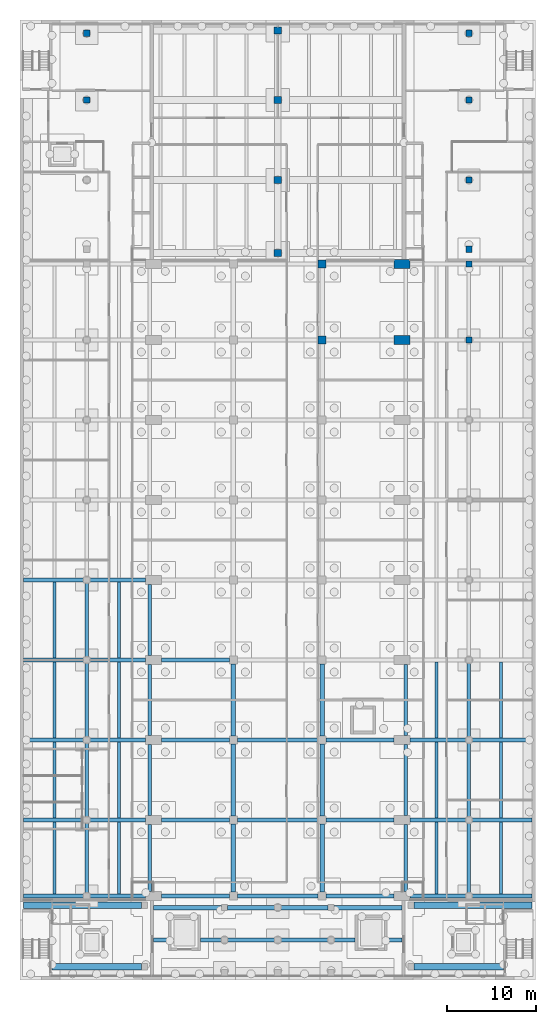
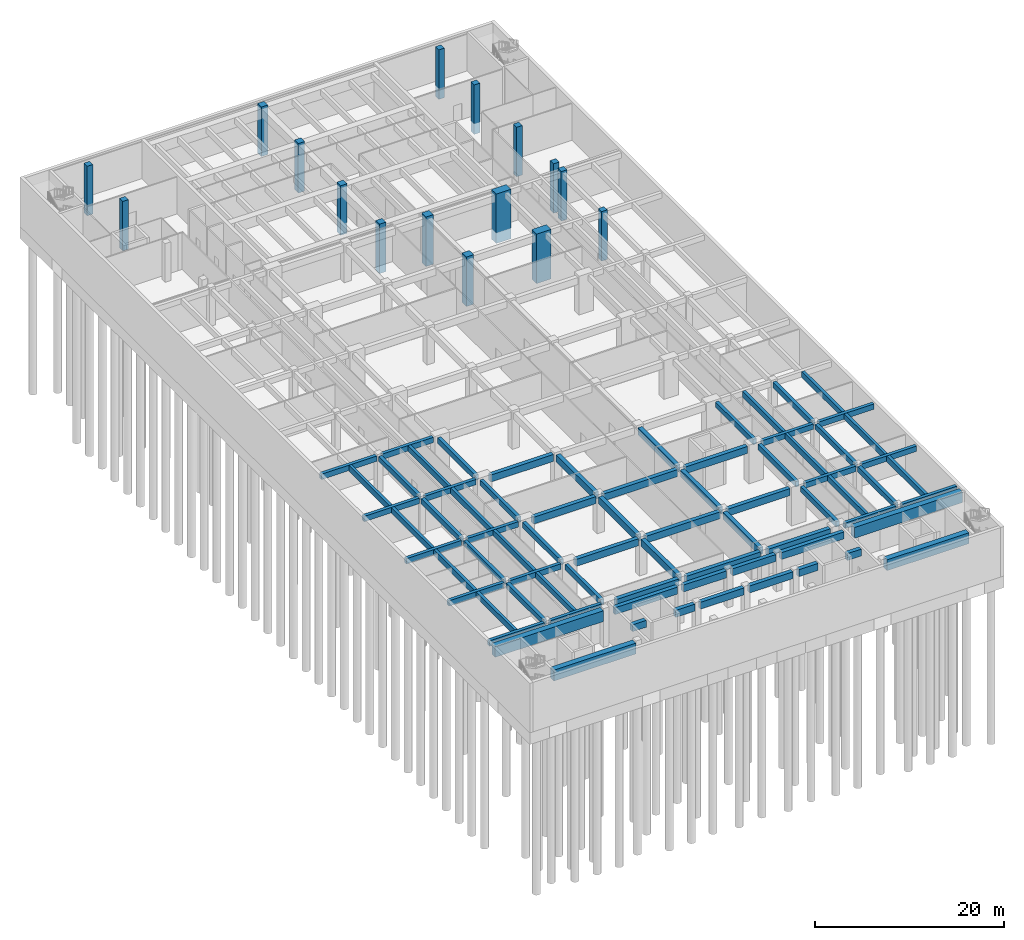
# One storey, part 4 of 19: 74 beams, 16 columns.
"""IFC4 building model written with IfcOpenShell, lengths in metres."""

from ifc_helpers import new_model, si_unit, direction, frame, origin, origin_2d, place, context, subcontext, project, spatial, rectangle, extrude, material, material_profile, profile_set, type_object, element, save


model = new_model("IFC4")

# Units and contexts
model_context = context("Model", 3, precision=1e-05, world=origin(), true_north=direction((0.0, 1.0)))
body_context = subcontext(model_context, "Body", "Model", "MODEL_VIEW")
ifc_project = project(units=[si_unit("LENGTHUNIT", "METRE"), si_unit("AREAUNIT", "SQUARE_METRE"), si_unit("VOLUMEUNIT", "CUBIC_METRE"), si_unit("PLANEANGLEUNIT", "RADIAN"), si_unit("MASSUNIT", "GRAM", prefix="KILO")], contexts=[model_context])

# Site, building, storey
site_placement = place(None, origin())
site = spatial("IfcSite", under=ifc_project, at=site_placement, CompositionType="ELEMENT")
building_placement = place(site_placement, origin())
building = spatial("IfcBuilding", under=site, at=building_placement, Name="Elmora Arch Market Hall", CompositionType="ELEMENT")
storey_placement = place(building_placement, frame((0.0, 0.0, -10.0)))
storey = spatial("IfcBuildingStorey", under=building, at=storey_placement, Name="B1", CompositionType="ELEMENT", Elevation=-10.0)

# Columns
ifc_material_1 = material(Name="Concrete C40/50", Category="concrete")
ifc_material_profile_1 = material_profile(ifc_material_1, rectangle(XDim=0.800048828125, YDim=0.800048828125, at=origin_2d()), Name="Gate column 800x800")
ifc_profile_set_1 = profile_set([ifc_material_profile_1], Name="Concrete C40/50")
column_type_1 = type_object("IfcColumnType", Name="Gate column 800x800", PredefinedType="COLUMN", material=ifc_profile_set_1)
for number, where, z_axis, x_axis, name in (
    (1, (29.0, 99.800048828125, -1.39990234375), (0.0, 0.0, 1.0), (1.0, 0.0, 0.0), "Gate column GT1 B1"),
    (2, (29.0, 108.0, -1.39990234375), (0.0, 0.0, 1.0), (1.0, 0.0, 0.0), "Gate column GT2 B1"),
    (3, (29.0, 117.0, -1.39990234375), (0.0, 0.0, 1.0), (1.0, 0.0, 0.0), "Gate column GT3 B1"),
    (4, (29.0, 124.800048828125, -1.39990234375), (0.0, 0.0, 1.0), (1.0, 0.0, 0.0), "Gate column GT4 B1"),
):
    element("IfcColumn", number, at=place(storey_placement, frame(where, z_axis=z_axis, x_axis=x_axis)), inside=storey, type_object=column_type_1, Name=name, PredefinedType="COLUMN", context=body_context, shape_type="SweptSolid", body=[
        extrude(rectangle(XDim=0.800048828125, YDim=0.800048828125, at=origin_2d()), origin(), (0.0, 0.0, 1.0), 6.39990234375),
    ])
ifc_material_2 = material(Name="Concrete C40/50", Category="concrete")
ifc_material_profile_2 = material_profile(ifc_material_2, rectangle(XDim=0.89990234375, YDim=0.89990234375, at=origin_2d()), Name="Hall frame column 900x900")
ifc_profile_set_2 = profile_set([ifc_material_profile_2], Name="Concrete C40/50")
column_type_2 = type_object("IfcColumnType", Name="Hall frame column 900x900", PredefinedType="COLUMN", material=ifc_profile_set_2)
for number, where, z_axis, x_axis, name in (
    (5, (34.0, 90.0, -1.39990234375), (0.0, 0.0, 1.0), (1.0, 0.0, 0.0), "Hall frame column HF28 B1"),
    (6, (34.0, 98.550048828125, -1.39990234375), (0.0, 0.0, 1.0), (1.0, 0.0, 0.0), "Hall frame column HF29 B1"),
):
    element("IfcColumn", number, at=place(storey_placement, frame(where, z_axis=z_axis, x_axis=x_axis)), inside=storey, type_object=column_type_2, Name=name, PredefinedType="COLUMN", context=body_context, shape_type="SweptSolid", body=[
        extrude(rectangle(XDim=0.89990234375, YDim=0.89990234375, at=origin_2d()), origin(), (0.0, 0.0, 1.0), 6.39990234375),
    ])
ifc_material_3 = material(Name="Concrete C40/50", Category="concrete")
ifc_material_profile_3 = material_profile(ifc_material_3, rectangle(XDim=1.800048828125, YDim=1.0, at=origin_2d()), Name="Hall pier")
ifc_profile_set_3 = profile_set([ifc_material_profile_3], Name="Concrete C40/50")
column_type_3 = type_object("IfcColumnType", Name="Hall pier", PredefinedType="COLUMN", material=ifc_profile_set_3)
for number, where, z_axis, x_axis, name in (
    (7, (43.0, 90.0, -1.39990234375), (0.0, 0.0, 1.0), (1.0, 0.0, 0.0), "Hall pier 08E B1"),
    (8, (43.0, 98.550048828125, -1.39990234375), (0.0, 0.0, 1.0), (1.0, 0.0, 0.0), "Hall pier 09E B1"),
):
    element("IfcColumn", number, at=place(storey_placement, frame(where, z_axis=z_axis, x_axis=x_axis)), inside=storey, type_object=column_type_3, Name=name, PredefinedType="COLUMN", context=body_context, shape_type="SweptSolid", body=[
        extrude(rectangle(XDim=1.800048828125, YDim=1.0, at=origin_2d()), origin(), (0.0, 0.0, 1.0), 6.39990234375),
    ])
ifc_material_4 = material(Name="Concrete C40/50", Category="concrete")
ifc_material_profile_4 = material_profile(ifc_material_4, rectangle(XDim=0.699951171875, YDim=0.699951171875, at=origin_2d()), Name="Pavilion column 700x700")
ifc_profile_set_4 = profile_set([ifc_material_profile_4], Name="Concrete C40/50")
column_type_4 = type_object("IfcColumnType", Name="Pavilion column 700x700", PredefinedType="COLUMN", material=ifc_profile_set_4)
for number, where, z_axis, x_axis, name in (
    (9, (7.5, 117.0, -1.39990234375), (0.0, 0.0, 1.0), (1.0, 0.0, 0.0), "Pavilion column NW3 B1"),
    (10, (7.5, 124.5, -1.39990234375), (0.0, 0.0, 1.0), (1.0, 0.0, 0.0), "Pavilion column NW4 B1"),
    (11, (50.5, 100.199951171875, -1.39990234375), (0.0, 0.0, 1.0), (1.0, 0.0, 0.0), "Pavilion column NE1 B1"),
    (12, (50.5, 108.0, -1.39990234375), (0.0, 0.0, 1.0), (1.0, 0.0, 0.0), "Pavilion column NE2 B1"),
    (13, (50.5, 117.0, -1.39990234375), (0.0, 0.0, 1.0), (1.0, 0.0, 0.0), "Pavilion column NE3 B1"),
    (14, (50.5, 124.5, -1.39990234375), (0.0, 0.0, 1.0), (1.0, 0.0, 0.0), "Pavilion column NE4 B1"),
):
    element("IfcColumn", number, at=place(storey_placement, frame(where, z_axis=z_axis, x_axis=x_axis)), inside=storey, type_object=column_type_4, Name=name, PredefinedType="COLUMN", context=body_context, shape_type="SweptSolid", body=[
        extrude(rectangle(XDim=0.699951171875, YDim=0.699951171875, at=origin_2d()), origin(), (0.0, 0.0, 1.0), 6.39990234375),
    ])
ifc_material_5 = material(Name="Concrete C40/50", Category="concrete")
ifc_material_profile_5 = material_profile(ifc_material_5, rectangle(XDim=0.699951171875, YDim=0.699951171875, at=origin_2d()), Name="Wing column 700x700")
ifc_profile_set_5 = profile_set([ifc_material_profile_5], Name="Concrete C40/50")
column_type_5 = type_object("IfcColumnType", Name="Wing column 700x700", PredefinedType="COLUMN", material=ifc_profile_set_5)
for number, where, z_axis, x_axis, name in (
    (15, (50.5, 90.0, -1.39990234375), (0.0, 0.0, 1.0), (1.0, 0.0, 0.0), "Wing column E8 B1"),
    (16, (50.5, 98.550048828125, -1.39990234375), (0.0, 0.0, 1.0), (1.0, 0.0, 0.0), "Wing column E9 B1"),
):
    element("IfcColumn", number, at=place(storey_placement, frame(where, z_axis=z_axis, x_axis=x_axis)), inside=storey, type_object=column_type_5, Name=name, PredefinedType="COLUMN", context=body_context, shape_type="SweptSolid", body=[
        extrude(rectangle(XDim=0.699951171875, YDim=0.699951171875, at=origin_2d()), origin(), (0.0, 0.0, 1.0), 6.39990234375),
    ])

# Beams
ifc_material_6 = material(Name="Concrete C32/40", Category="concrete")
ifc_material_profile_6 = material_profile(ifc_material_6, rectangle(XDim=0.5, YDim=0.89990234375, at=origin_2d()), Name="Basement girder 500x900")
ifc_profile_set_6 = profile_set([ifc_material_profile_6], Name="Concrete C32/40")
beam_type_1 = type_object("IfcBeamType", Name="Basement girder 500x900", PredefinedType="BEAM", material=ifc_profile_set_6)
beam_1_placement = place(storey_placement, frame((15.89990234375, 27.449951171875, 4.25), z_axis=(1.0, 0.0, 0.0), x_axis=(0.0, 1.0, 0.0)))
element("IfcBeam", 17, at=beam_1_placement, inside=storey, type_object=beam_type_1, Name="Basement girder HR1 B1.1", PredefinedType="BEAM", context=body_context, shape_type="SweptSolid", body=[
    extrude(rectangle(XDim=0.5, YDim=0.89990234375, at=origin_2d()), origin(), (0.0, 0.0, 1.0), 7.650146484375),
])
beam_2_placement = place(storey_placement, frame((24.449951171875, 27.449951171875, 4.25), z_axis=(1.0, 0.0, 0.0), x_axis=(0.0, 1.0, 0.0)))
element("IfcBeam", 18, at=beam_2_placement, inside=storey, type_object=beam_type_1, Name="Basement girder HR1 B1.2", PredefinedType="BEAM", context=body_context, shape_type="SweptSolid", body=[
    extrude(rectangle(XDim=0.5, YDim=0.89990234375, at=origin_2d()), origin(), (0.0, 0.0, 1.0), 9.10009765625),
])
for number, where, z_axis, x_axis, name in (
    (19, (34.449951171875, 27.449951171875, 4.25), (1.0, 0.0, 0.0), (0.0, 1.0, 0.0), "Basement girder HR1 B1.3"),
    (20, (15.89990234375, 36.0, 4.25), (1.0, 0.0, 0.0), (0.0, 1.0, 0.0), "Basement girder HR2 B1.1"),
):
    element("IfcBeam", number, at=place(storey_placement, frame(where, z_axis=z_axis, x_axis=x_axis)), inside=storey, type_object=beam_type_1, Name=name, PredefinedType="BEAM", context=body_context, shape_type="SweptSolid", body=[
        extrude(rectangle(XDim=0.5, YDim=0.89990234375, at=origin_2d()), origin(), (0.0, 0.0, 1.0), 7.650146484375),
    ])
beam_3_placement = place(storey_placement, frame((24.449951171875, 36.0, 4.25), z_axis=(1.0, 0.0, 0.0), x_axis=(0.0, 1.0, 0.0)))
element("IfcBeam", 21, at=beam_3_placement, inside=storey, type_object=beam_type_1, Name="Basement girder HR2 B1.2", PredefinedType="BEAM", context=body_context, shape_type="SweptSolid", body=[
    extrude(rectangle(XDim=0.5, YDim=0.89990234375, at=origin_2d()), origin(), (0.0, 0.0, 1.0), 9.10009765625),
])
for number, where, z_axis, x_axis, name in (
    (22, (34.449951171875, 36.0, 4.25), (1.0, 0.0, 0.0), (0.0, 1.0, 0.0), "Basement girder HR2 B1.3"),
    (23, (15.89990234375, 45.0, 4.25), (1.0, 0.0, 0.0), (0.0, 1.0, 0.0), "Basement girder HR3 B1.1"),
):
    element("IfcBeam", number, at=place(storey_placement, frame(where, z_axis=z_axis, x_axis=x_axis)), inside=storey, type_object=beam_type_1, Name=name, PredefinedType="BEAM", context=body_context, shape_type="SweptSolid", body=[
        extrude(rectangle(XDim=0.5, YDim=0.89990234375, at=origin_2d()), origin(), (0.0, 0.0, 1.0), 7.650146484375),
    ])
beam_4_placement = place(storey_placement, frame((24.449951171875, 45.0, 4.25), z_axis=(1.0, 0.0, 0.0), x_axis=(0.0, 1.0, 0.0)))
element("IfcBeam", 24, at=beam_4_placement, inside=storey, type_object=beam_type_1, Name="Basement girder HR3 B1.2", PredefinedType="BEAM", context=body_context, shape_type="SweptSolid", body=[
    extrude(rectangle(XDim=0.5, YDim=0.89990234375, at=origin_2d()), origin(), (0.0, 0.0, 1.0), 9.10009765625),
])
for number, where, z_axis, x_axis, name in (
    (25, (34.449951171875, 45.0, 4.25), (1.0, 0.0, 0.0), (0.0, 1.0, 0.0), "Basement girder HR3 B1.3"),
    (26, (15.89990234375, 54.0, 4.25), (1.0, 0.0, 0.0), (0.0, 1.0, 0.0), "Basement girder HR4 B1.1"),
    (27, (24.0, 27.89990234375, 4.25), (0.0, 1.0, 0.0), (-1.0, 0.0, 0.0), "Basement girder HC1 B1.1"),
):
    element("IfcBeam", number, at=place(storey_placement, frame(where, z_axis=z_axis, x_axis=x_axis)), inside=storey, type_object=beam_type_1, Name=name, PredefinedType="BEAM", context=body_context, shape_type="SweptSolid", body=[
        extrude(rectangle(XDim=0.5, YDim=0.89990234375, at=origin_2d()), origin(), (0.0, 0.0, 1.0), 7.650146484375),
    ])
for number, where, z_axis, x_axis, name in (
    (28, (24.0, 36.449951171875, 4.25), (0.0, 1.0, 0.0), (-1.0, 0.0, 0.0), "Basement girder HC1 B1.2"),
    (29, (24.0, 45.449951171875, 4.25), (0.0, 1.0, 0.0), (-1.0, 0.0, 0.0), "Basement girder HC1 B1.3"),
):
    element("IfcBeam", number, at=place(storey_placement, frame(where, z_axis=z_axis, x_axis=x_axis)), inside=storey, type_object=beam_type_1, Name=name, PredefinedType="BEAM", context=body_context, shape_type="SweptSolid", body=[
        extrude(rectangle(XDim=0.5, YDim=0.89990234375, at=origin_2d()), origin(), (0.0, 0.0, 1.0), 8.10009765625),
    ])
beam_5_placement = place(storey_placement, frame((34.0, 27.89990234375, 4.25), z_axis=(0.0, 1.0, 0.0), x_axis=(-1.0, 0.0, 0.0)))
element("IfcBeam", 30, at=beam_5_placement, inside=storey, type_object=beam_type_1, Name="Basement girder HC2 B1.1", PredefinedType="BEAM", context=body_context, shape_type="SweptSolid", body=[
    extrude(rectangle(XDim=0.5, YDim=0.89990234375, at=origin_2d()), origin(), (0.0, 0.0, 1.0), 7.650146484375),
])
for number, where, z_axis, x_axis, name in (
    (31, (34.0, 36.449951171875, 4.25), (0.0, 1.0, 0.0), (-1.0, 0.0, 0.0), "Basement girder HC2 B1.2"),
    (32, (34.0, 45.449951171875, 4.25), (0.0, 1.0, 0.0), (-1.0, 0.0, 0.0), "Basement girder HC2 B1.3"),
):
    element("IfcBeam", number, at=place(storey_placement, frame(where, z_axis=z_axis, x_axis=x_axis)), inside=storey, type_object=beam_type_1, Name=name, PredefinedType="BEAM", context=body_context, shape_type="SweptSolid", body=[
        extrude(rectangle(XDim=0.5, YDim=0.89990234375, at=origin_2d()), origin(), (0.0, 0.0, 1.0), 8.10009765625),
    ])
beam_6_placement = place(storey_placement, frame((15.0, 22.5, 4.300048828125), z_axis=(1.0, 0.0, 0.0), x_axis=(0.0, 1.0, 0.0)))
element("IfcBeam", 33, at=beam_6_placement, inside=storey, type_object=beam_type_1, Name="Basement girder DKR1 B1.1", PredefinedType="BEAM", context=body_context, shape_type="SweptSolid", body=[
    extrude(rectangle(XDim=0.5, YDim=0.89990234375, at=origin_2d()), origin(), (0.0, 0.0, 1.0), 1.699951171875),
])
beam_7_placement = place(storey_placement, frame((20.300048828125, 22.5, 4.300048828125), z_axis=(1.0, 0.0, 0.0), x_axis=(0.0, 1.0, 0.0)))
element("IfcBeam", 34, at=beam_7_placement, inside=storey, type_object=beam_type_1, Name="Basement girder DKR1 B1.2", PredefinedType="BEAM", context=body_context, shape_type="SweptSolid", body=[
    extrude(rectangle(XDim=0.5, YDim=0.89990234375, at=origin_2d()), origin(), (0.0, 0.0, 1.0), 2.349853515625),
])
for number, where, z_axis, x_axis, name in (
    (35, (23.35009765625, 22.5, 4.300048828125), (1.0, 0.0, 0.0), (0.0, 1.0, 0.0), "Basement girder DKR1 B1.3"),
    (36, (29.35009765625, 22.5, 4.300048828125), (1.0, 0.0, 0.0), (0.0, 1.0, 0.0), "Basement girder DKR1 B1.4"),
):
    element("IfcBeam", number, at=place(storey_placement, frame(where, z_axis=z_axis, x_axis=x_axis)), inside=storey, type_object=beam_type_1, Name=name, PredefinedType="BEAM", context=body_context, shape_type="SweptSolid", body=[
        extrude(rectangle(XDim=0.5, YDim=0.89990234375, at=origin_2d()), origin(), (0.0, 0.0, 1.0), 5.2998046875),
    ])
beam_8_placement = place(storey_placement, frame((35.35009765625, 22.5, 4.300048828125), z_axis=(1.0, 0.0, 0.0), x_axis=(0.0, 1.0, 0.0)))
element("IfcBeam", 37, at=beam_8_placement, inside=storey, type_object=beam_type_1, Name="Basement girder DKR1 B1.5", PredefinedType="BEAM", context=body_context, shape_type="SweptSolid", body=[
    extrude(rectangle(XDim=0.5, YDim=0.89990234375, at=origin_2d()), origin(), (0.0, 0.0, 1.0), 2.349853515625),
])
beam_9_placement = place(storey_placement, frame((41.300048828125, 22.5, 4.300048828125), z_axis=(1.0, 0.0, 0.0), x_axis=(0.0, 1.0, 0.0)))
element("IfcBeam", 38, at=beam_9_placement, inside=storey, type_object=beam_type_1, Name="Basement girder DKR1 B1.6", PredefinedType="BEAM", context=body_context, shape_type="SweptSolid", body=[
    extrude(rectangle(XDim=0.5, YDim=0.89990234375, at=origin_2d()), origin(), (0.0, 0.0, 1.0), 1.699951171875),
])
beam_10_placement = place(storey_placement, frame((15.0, 26.14990234375, 4.300048828125), z_axis=(1.0, 0.0, 0.0), x_axis=(0.0, 1.0, 0.0)))
element("IfcBeam", 39, at=beam_10_placement, inside=storey, type_object=beam_type_1, Name="Basement girder DKR2 B1.1", PredefinedType="BEAM", context=body_context, shape_type="SweptSolid", body=[
    extrude(rectangle(XDim=0.5, YDim=0.89990234375, at=origin_2d()), origin(), (0.0, 0.0, 1.0), 7.64990234375),
])
for number, where, z_axis, x_axis, name in (
    (40, (23.35009765625, 26.14990234375, 4.300048828125), (1.0, 0.0, 0.0), (0.0, 1.0, 0.0), "Basement girder DKR2 B1.2"),
    (41, (29.35009765625, 26.14990234375, 4.300048828125), (1.0, 0.0, 0.0), (0.0, 1.0, 0.0), "Basement girder DKR2 B1.3"),
):
    element("IfcBeam", number, at=place(storey_placement, frame(where, z_axis=z_axis, x_axis=x_axis)), inside=storey, type_object=beam_type_1, Name=name, PredefinedType="BEAM", context=body_context, shape_type="SweptSolid", body=[
        extrude(rectangle(XDim=0.5, YDim=0.89990234375, at=origin_2d()), origin(), (0.0, 0.0, 1.0), 5.2998046875),
    ])
beam_11_placement = place(storey_placement, frame((35.35009765625, 26.14990234375, 4.300048828125), z_axis=(1.0, 0.0, 0.0), x_axis=(0.0, 1.0, 0.0)))
element("IfcBeam", 42, at=beam_11_placement, inside=storey, type_object=beam_type_1, Name="Basement girder DKR2 B1.4", PredefinedType="BEAM", context=body_context, shape_type="SweptSolid", body=[
    extrude(rectangle(XDim=0.5, YDim=0.89990234375, at=origin_2d()), origin(), (0.0, 0.0, 1.0), 7.64990234375),
])
ifc_material_7 = material(Name="Concrete C32/40", Category="concrete")
ifc_material_profile_7 = material_profile(ifc_material_7, rectangle(XDim=0.699951171875, YDim=1.39990234375, at=origin_2d()), Name="Corner block girder 700x1400")
ifc_profile_set_7 = profile_set([ifc_material_profile_7], Name="Concrete C32/40")
beam_type_2 = type_object("IfcBeamType", Name="Corner block girder 700x1400", PredefinedType="BEAM", material=ifc_profile_set_7)
beam_12_placement = place(storey_placement, frame((3.60009765625, 19.5, 4.050048828125), z_axis=(1.0, 0.0, 0.0), x_axis=(0.0, 1.0, 0.0)))
element("IfcBeam", 43, at=beam_12_placement, inside=storey, type_object=beam_type_2, Name="Corner block girder SWR1 B1.1", PredefinedType="BEAM", context=body_context, shape_type="SweptSolid", body=[
    extrude(rectangle(XDim=0.699951171875, YDim=1.39990234375, at=origin_2d()), origin(), (0.0, 0.0, 1.0), 10.0498046875),
])
beam_13_placement = place(storey_placement, frame((0.39990234375, 26.39990234375, 4.050048828125), z_axis=(1.0, 0.0, 0.0), x_axis=(0.0, 1.0, 0.0)))
element("IfcBeam", 44, at=beam_13_placement, inside=storey, type_object=beam_type_2, Name="Corner block girder SWR2 B1.1", PredefinedType="BEAM", context=body_context, shape_type="SweptSolid", body=[
    extrude(rectangle(XDim=0.699951171875, YDim=1.39990234375, at=origin_2d()), origin(), (0.0, 0.0, 1.0), 13.25),
])
beam_14_placement = place(storey_placement, frame((44.35009765625, 19.5, 4.050048828125), z_axis=(1.0, 0.0, 0.0), x_axis=(0.0, 1.0, 0.0)))
element("IfcBeam", 45, at=beam_14_placement, inside=storey, type_object=beam_type_2, Name="Corner block girder SER1 B1.1", PredefinedType="BEAM", context=body_context, shape_type="SweptSolid", body=[
    extrude(rectangle(XDim=0.699951171875, YDim=1.39990234375, at=origin_2d()), origin(), (0.0, 0.0, 1.0), 10.0498046875),
])
beam_15_placement = place(storey_placement, frame((44.35009765625, 26.39990234375, 4.050048828125), z_axis=(1.0, 0.0, 0.0), x_axis=(0.0, 1.0, 0.0)))
element("IfcBeam", 46, at=beam_15_placement, inside=storey, type_object=beam_type_2, Name="Corner block girder SER2 B1.1", PredefinedType="BEAM", context=body_context, shape_type="SweptSolid", body=[
    extrude(rectangle(XDim=0.699951171875, YDim=1.39990234375, at=origin_2d()), origin(), (0.0, 0.0, 1.0), 13.25),
])
ifc_material_8 = material(Name="Concrete C32/40", Category="concrete")
ifc_material_profile_8 = material_profile(ifc_material_8, rectangle(XDim=0.39990234375, YDim=0.699951171875, at=origin_2d()), Name="Wing beam 400x700")
ifc_profile_set_8 = profile_set([ifc_material_profile_8], Name="Concrete C32/40")
beam_type_3 = type_object("IfcBeamType", Name="Wing beam 400x700", PredefinedType="BEAM", material=ifc_profile_set_8)
beam_16_placement = place(storey_placement, frame((0.39990234375, 27.449951171875, 4.39990234375), z_axis=(1.0, 0.0, 0.0), x_axis=(0.0, 1.0, 0.0)))
element("IfcBeam", 47, at=beam_16_placement, inside=storey, type_object=beam_type_3, Name="Wing beam WR1 B1.1", PredefinedType="BEAM", context=body_context, shape_type="SweptSolid", body=[
    extrude(rectangle(XDim=0.39990234375, YDim=0.699951171875, at=origin_2d()), origin(), (0.0, 0.0, 1.0), 6.75),
])
beam_17_placement = place(storey_placement, frame((7.85009765625, 27.449951171875, 4.39990234375), z_axis=(1.0, 0.0, 0.0), x_axis=(0.0, 1.0, 0.0)))
element("IfcBeam", 48, at=beam_17_placement, inside=storey, type_object=beam_type_3, Name="Wing beam WR1 B1.2", PredefinedType="BEAM", context=body_context, shape_type="SweptSolid", body=[
    extrude(rectangle(XDim=0.39990234375, YDim=0.699951171875, at=origin_2d()), origin(), (0.0, 0.0, 1.0), 6.25),
])
beam_18_placement = place(storey_placement, frame((0.39990234375, 36.0, 4.39990234375), z_axis=(1.0, 0.0, 0.0), x_axis=(0.0, 1.0, 0.0)))
element("IfcBeam", 49, at=beam_18_placement, inside=storey, type_object=beam_type_3, Name="Wing beam WR2 B1.1", PredefinedType="BEAM", context=body_context, shape_type="SweptSolid", body=[
    extrude(rectangle(XDim=0.39990234375, YDim=0.699951171875, at=origin_2d()), origin(), (0.0, 0.0, 1.0), 6.75),
])
beam_19_placement = place(storey_placement, frame((7.85009765625, 36.0, 4.39990234375), z_axis=(1.0, 0.0, 0.0), x_axis=(0.0, 1.0, 0.0)))
element("IfcBeam", 50, at=beam_19_placement, inside=storey, type_object=beam_type_3, Name="Wing beam WR2 B1.2", PredefinedType="BEAM", context=body_context, shape_type="SweptSolid", body=[
    extrude(rectangle(XDim=0.39990234375, YDim=0.699951171875, at=origin_2d()), origin(), (0.0, 0.0, 1.0), 6.25),
])
beam_20_placement = place(storey_placement, frame((0.39990234375, 45.0, 4.39990234375), z_axis=(1.0, 0.0, 0.0), x_axis=(0.0, 1.0, 0.0)))
element("IfcBeam", 51, at=beam_20_placement, inside=storey, type_object=beam_type_3, Name="Wing beam WR3 B1.1", PredefinedType="BEAM", context=body_context, shape_type="SweptSolid", body=[
    extrude(rectangle(XDim=0.39990234375, YDim=0.699951171875, at=origin_2d()), origin(), (0.0, 0.0, 1.0), 6.75),
])
beam_21_placement = place(storey_placement, frame((7.85009765625, 45.0, 4.39990234375), z_axis=(1.0, 0.0, 0.0), x_axis=(0.0, 1.0, 0.0)))
element("IfcBeam", 52, at=beam_21_placement, inside=storey, type_object=beam_type_3, Name="Wing beam WR3 B1.2", PredefinedType="BEAM", context=body_context, shape_type="SweptSolid", body=[
    extrude(rectangle(XDim=0.39990234375, YDim=0.699951171875, at=origin_2d()), origin(), (0.0, 0.0, 1.0), 6.25),
])
beam_22_placement = place(storey_placement, frame((0.39990234375, 54.0, 4.39990234375), z_axis=(1.0, 0.0, 0.0), x_axis=(0.0, 1.0, 0.0)))
element("IfcBeam", 53, at=beam_22_placement, inside=storey, type_object=beam_type_3, Name="Wing beam WR4 B1.1", PredefinedType="BEAM", context=body_context, shape_type="SweptSolid", body=[
    extrude(rectangle(XDim=0.39990234375, YDim=0.699951171875, at=origin_2d()), origin(), (0.0, 0.0, 1.0), 6.75),
])
beam_23_placement = place(storey_placement, frame((7.85009765625, 54.0, 4.39990234375), z_axis=(1.0, 0.0, 0.0), x_axis=(0.0, 1.0, 0.0)))
element("IfcBeam", 54, at=beam_23_placement, inside=storey, type_object=beam_type_3, Name="Wing beam WR4 B1.2", PredefinedType="BEAM", context=body_context, shape_type="SweptSolid", body=[
    extrude(rectangle(XDim=0.39990234375, YDim=0.699951171875, at=origin_2d()), origin(), (0.0, 0.0, 1.0), 6.25),
])
beam_24_placement = place(storey_placement, frame((0.39990234375, 63.0, 4.39990234375), z_axis=(1.0, 0.0, 0.0), x_axis=(0.0, 1.0, 0.0)))
element("IfcBeam", 55, at=beam_24_placement, inside=storey, type_object=beam_type_3, Name="Wing beam WR5 B1.1", PredefinedType="BEAM", context=body_context, shape_type="SweptSolid", body=[
    extrude(rectangle(XDim=0.39990234375, YDim=0.699951171875, at=origin_2d()), origin(), (0.0, 0.0, 1.0), 6.75),
])
beam_25_placement = place(storey_placement, frame((7.85009765625, 63.0, 4.39990234375), z_axis=(1.0, 0.0, 0.0), x_axis=(0.0, 1.0, 0.0)))
element("IfcBeam", 56, at=beam_25_placement, inside=storey, type_object=beam_type_3, Name="Wing beam WR5 B1.2", PredefinedType="BEAM", context=body_context, shape_type="SweptSolid", body=[
    extrude(rectangle(XDim=0.39990234375, YDim=0.699951171875, at=origin_2d()), origin(), (0.0, 0.0, 1.0), 6.25),
])
beam_26_placement = place(storey_placement, frame((7.5, 27.800048828125, 4.39990234375), z_axis=(0.0, 1.0, 0.0), x_axis=(-1.0, 0.0, 0.0)))
element("IfcBeam", 57, at=beam_26_placement, inside=storey, type_object=beam_type_3, Name="Wing beam WG B1.1", PredefinedType="BEAM", context=body_context, shape_type="SweptSolid", body=[
    extrude(rectangle(XDim=0.39990234375, YDim=0.699951171875, at=origin_2d()), origin(), (0.0, 0.0, 1.0), 7.849853515625),
])
for number, where, z_axis, x_axis, name in (
    (58, (7.5, 36.35009765625, 4.39990234375), (0.0, 1.0, 0.0), (-1.0, 0.0, 0.0), "Wing beam WG B1.2"),
    (59, (7.5, 45.35009765625, 4.39990234375), (0.0, 1.0, 0.0), (-1.0, 0.0, 0.0), "Wing beam WG B1.3"),
    (60, (7.5, 54.35009765625, 4.39990234375), (0.0, 1.0, 0.0), (-1.0, 0.0, 0.0), "Wing beam WG B1.4"),
):
    element("IfcBeam", number, at=place(storey_placement, frame(where, z_axis=z_axis, x_axis=x_axis)), inside=storey, type_object=beam_type_3, Name=name, PredefinedType="BEAM", context=body_context, shape_type="SweptSolid", body=[
        extrude(rectangle(XDim=0.39990234375, YDim=0.699951171875, at=origin_2d()), origin(), (0.0, 0.0, 1.0), 8.2998046875),
    ])
beam_27_placement = place(storey_placement, frame((14.60009765625, 27.949951171875, 4.39990234375), z_axis=(0.0, 1.0, 0.0), x_axis=(-1.0, 0.0, 0.0)))
element("IfcBeam", 61, at=beam_27_placement, inside=storey, type_object=beam_type_3, Name="Wing beam WEB B1.1", PredefinedType="BEAM", context=body_context, shape_type="SweptSolid", body=[
    extrude(rectangle(XDim=0.39990234375, YDim=0.699951171875, at=origin_2d()), origin(), (0.0, 0.0, 1.0), 7.550048828125),
])
for number, where, z_axis, x_axis, name in (
    (62, (14.60009765625, 36.5, 4.39990234375), (0.0, 1.0, 0.0), (-1.0, 0.0, 0.0), "Wing beam WEB B1.2"),
    (63, (14.60009765625, 45.5, 4.39990234375), (0.0, 1.0, 0.0), (-1.0, 0.0, 0.0), "Wing beam WEB B1.3"),
    (64, (14.60009765625, 54.5, 4.39990234375), (0.0, 1.0, 0.0), (-1.0, 0.0, 0.0), "Wing beam WEB B1.4"),
):
    element("IfcBeam", number, at=place(storey_placement, frame(where, z_axis=z_axis, x_axis=x_axis)), inside=storey, type_object=beam_type_3, Name=name, PredefinedType="BEAM", context=body_context, shape_type="SweptSolid", body=[
        extrude(rectangle(XDim=0.39990234375, YDim=0.699951171875, at=origin_2d()), origin(), (0.0, 0.0, 1.0), 8.0),
    ])
beam_28_placement = place(storey_placement, frame((43.89990234375, 27.449951171875, 4.39990234375), z_axis=(1.0, 0.0, 0.0), x_axis=(0.0, 1.0, 0.0)))
element("IfcBeam", 65, at=beam_28_placement, inside=storey, type_object=beam_type_3, Name="Wing beam ER1 B1.1", PredefinedType="BEAM", context=body_context, shape_type="SweptSolid", body=[
    extrude(rectangle(XDim=0.39990234375, YDim=0.699951171875, at=origin_2d()), origin(), (0.0, 0.0, 1.0), 6.25),
])
beam_29_placement = place(storey_placement, frame((50.85009765625, 27.449951171875, 4.39990234375), z_axis=(1.0, 0.0, 0.0), x_axis=(0.0, 1.0, 0.0)))
element("IfcBeam", 66, at=beam_29_placement, inside=storey, type_object=beam_type_3, Name="Wing beam ER1 B1.2", PredefinedType="BEAM", context=body_context, shape_type="SweptSolid", body=[
    extrude(rectangle(XDim=0.39990234375, YDim=0.699951171875, at=origin_2d()), origin(), (0.0, 0.0, 1.0), 6.75),
])
beam_30_placement = place(storey_placement, frame((43.89990234375, 36.0, 4.39990234375), z_axis=(1.0, 0.0, 0.0), x_axis=(0.0, 1.0, 0.0)))
element("IfcBeam", 67, at=beam_30_placement, inside=storey, type_object=beam_type_3, Name="Wing beam ER2 B1.1", PredefinedType="BEAM", context=body_context, shape_type="SweptSolid", body=[
    extrude(rectangle(XDim=0.39990234375, YDim=0.699951171875, at=origin_2d()), origin(), (0.0, 0.0, 1.0), 6.25),
])
beam_31_placement = place(storey_placement, frame((50.85009765625, 36.0, 4.39990234375), z_axis=(1.0, 0.0, 0.0), x_axis=(0.0, 1.0, 0.0)))
element("IfcBeam", 68, at=beam_31_placement, inside=storey, type_object=beam_type_3, Name="Wing beam ER2 B1.2", PredefinedType="BEAM", context=body_context, shape_type="SweptSolid", body=[
    extrude(rectangle(XDim=0.39990234375, YDim=0.699951171875, at=origin_2d()), origin(), (0.0, 0.0, 1.0), 6.75),
])
beam_32_placement = place(storey_placement, frame((43.89990234375, 45.0, 4.39990234375), z_axis=(1.0, 0.0, 0.0), x_axis=(0.0, 1.0, 0.0)))
element("IfcBeam", 69, at=beam_32_placement, inside=storey, type_object=beam_type_3, Name="Wing beam ER3 B1.1", PredefinedType="BEAM", context=body_context, shape_type="SweptSolid", body=[
    extrude(rectangle(XDim=0.39990234375, YDim=0.699951171875, at=origin_2d()), origin(), (0.0, 0.0, 1.0), 6.25),
])
beam_33_placement = place(storey_placement, frame((50.85009765625, 45.0, 4.39990234375), z_axis=(1.0, 0.0, 0.0), x_axis=(0.0, 1.0, 0.0)))
element("IfcBeam", 70, at=beam_33_placement, inside=storey, type_object=beam_type_3, Name="Wing beam ER3 B1.2", PredefinedType="BEAM", context=body_context, shape_type="SweptSolid", body=[
    extrude(rectangle(XDim=0.39990234375, YDim=0.699951171875, at=origin_2d()), origin(), (0.0, 0.0, 1.0), 6.75),
])
beam_34_placement = place(storey_placement, frame((50.5, 27.800048828125, 4.39990234375), z_axis=(0.0, 1.0, 0.0), x_axis=(-1.0, 0.0, 0.0)))
element("IfcBeam", 71, at=beam_34_placement, inside=storey, type_object=beam_type_3, Name="Wing beam EG B1.1", PredefinedType="BEAM", context=body_context, shape_type="SweptSolid", body=[
    extrude(rectangle(XDim=0.39990234375, YDim=0.699951171875, at=origin_2d()), origin(), (0.0, 0.0, 1.0), 7.849853515625),
])
for number, where, z_axis, x_axis, name in (
    (72, (50.5, 36.35009765625, 4.39990234375), (0.0, 1.0, 0.0), (-1.0, 0.0, 0.0), "Wing beam EG B1.2"),
    (73, (50.5, 45.35009765625, 4.39990234375), (0.0, 1.0, 0.0), (-1.0, 0.0, 0.0), "Wing beam EG B1.3"),
):
    element("IfcBeam", number, at=place(storey_placement, frame(where, z_axis=z_axis, x_axis=x_axis)), inside=storey, type_object=beam_type_3, Name=name, PredefinedType="BEAM", context=body_context, shape_type="SweptSolid", body=[
        extrude(rectangle(XDim=0.39990234375, YDim=0.699951171875, at=origin_2d()), origin(), (0.0, 0.0, 1.0), 8.2998046875),
    ])
beam_35_placement = place(storey_placement, frame((43.39990234375, 27.949951171875, 4.39990234375), z_axis=(0.0, 1.0, 0.0), x_axis=(-1.0, 0.0, 0.0)))
element("IfcBeam", 74, at=beam_35_placement, inside=storey, type_object=beam_type_3, Name="Wing beam EEB B1.1", PredefinedType="BEAM", context=body_context, shape_type="SweptSolid", body=[
    extrude(rectangle(XDim=0.39990234375, YDim=0.699951171875, at=origin_2d()), origin(), (0.0, 0.0, 1.0), 7.550048828125),
])
for number, where, z_axis, x_axis, name in (
    (75, (43.39990234375, 36.5, 4.39990234375), (0.0, 1.0, 0.0), (-1.0, 0.0, 0.0), "Wing beam EEB B1.2"),
    (76, (43.39990234375, 45.5, 4.39990234375), (0.0, 1.0, 0.0), (-1.0, 0.0, 0.0), "Wing beam EEB B1.3"),
):
    element("IfcBeam", number, at=place(storey_placement, frame(where, z_axis=z_axis, x_axis=x_axis)), inside=storey, type_object=beam_type_3, Name=name, PredefinedType="BEAM", context=body_context, shape_type="SweptSolid", body=[
        extrude(rectangle(XDim=0.39990234375, YDim=0.699951171875, at=origin_2d()), origin(), (0.0, 0.0, 1.0), 8.0),
    ])
ifc_material_9 = material(Name="Concrete C32/40", Category="concrete")
ifc_material_profile_9 = material_profile(ifc_material_9, rectangle(XDim=0.35009765625, YDim=0.75, at=origin_2d()), Name="Wing joist 350x750")
ifc_profile_set_9 = profile_set([ifc_material_profile_9], Name="Concrete C32/40")
beam_type_4 = type_object("IfcBeamType", Name="Wing joist 350x750", PredefinedType="JOIST", material=ifc_profile_set_9)
beam_36_placement = place(storey_placement, frame((3.89990234375, 27.64990234375, 4.375), z_axis=(0.0, 1.0, 0.0), x_axis=(-1.0, 0.0, 0.0)))
element("IfcBeam", 77, at=beam_36_placement, inside=storey, type_object=beam_type_4, Name="Wing joist WJ1 B1.1", PredefinedType="JOIST", context=body_context, shape_type="SweptSolid", body=[
    extrude(rectangle(XDim=0.35009765625, YDim=0.75, at=origin_2d()), origin(), (0.0, 0.0, 1.0), 8.150146484375),
])
for number, where, z_axis, x_axis, name in (
    (78, (3.89990234375, 36.199951171875, 4.375), (0.0, 1.0, 0.0), (-1.0, 0.0, 0.0), "Wing joist WJ1 B1.2"),
    (79, (3.89990234375, 45.199951171875, 4.375), (0.0, 1.0, 0.0), (-1.0, 0.0, 0.0), "Wing joist WJ1 B1.3"),
    (80, (3.89990234375, 54.199951171875, 4.375), (0.0, 1.0, 0.0), (-1.0, 0.0, 0.0), "Wing joist WJ1 B1.4"),
):
    element("IfcBeam", number, at=place(storey_placement, frame(where, z_axis=z_axis, x_axis=x_axis)), inside=storey, type_object=beam_type_4, Name=name, PredefinedType="JOIST", context=body_context, shape_type="SweptSolid", body=[
        extrude(rectangle(XDim=0.35009765625, YDim=0.75, at=origin_2d()), origin(), (0.0, 0.0, 1.0), 8.60009765625),
    ])
beam_37_placement = place(storey_placement, frame((11.14990234375, 27.64990234375, 4.375), z_axis=(0.0, 1.0, 0.0), x_axis=(-1.0, 0.0, 0.0)))
element("IfcBeam", 81, at=beam_37_placement, inside=storey, type_object=beam_type_4, Name="Wing joist WJ2 B1.1", PredefinedType="JOIST", context=body_context, shape_type="SweptSolid", body=[
    extrude(rectangle(XDim=0.35009765625, YDim=0.75, at=origin_2d()), origin(), (0.0, 0.0, 1.0), 8.150146484375),
])
for number, where, z_axis, x_axis, name in (
    (82, (11.14990234375, 36.199951171875, 4.375), (0.0, 1.0, 0.0), (-1.0, 0.0, 0.0), "Wing joist WJ2 B1.2"),
    (83, (11.14990234375, 45.199951171875, 4.375), (0.0, 1.0, 0.0), (-1.0, 0.0, 0.0), "Wing joist WJ2 B1.3"),
    (84, (11.14990234375, 54.199951171875, 4.375), (0.0, 1.0, 0.0), (-1.0, 0.0, 0.0), "Wing joist WJ2 B1.4"),
):
    element("IfcBeam", number, at=place(storey_placement, frame(where, z_axis=z_axis, x_axis=x_axis)), inside=storey, type_object=beam_type_4, Name=name, PredefinedType="JOIST", context=body_context, shape_type="SweptSolid", body=[
        extrude(rectangle(XDim=0.35009765625, YDim=0.75, at=origin_2d()), origin(), (0.0, 0.0, 1.0), 8.60009765625),
    ])
beam_38_placement = place(storey_placement, frame((46.85009765625, 27.64990234375, 4.375), z_axis=(0.0, 1.0, 0.0), x_axis=(-1.0, 0.0, 0.0)))
element("IfcBeam", 85, at=beam_38_placement, inside=storey, type_object=beam_type_4, Name="Wing joist EJ1 B1.1", PredefinedType="JOIST", context=body_context, shape_type="SweptSolid", body=[
    extrude(rectangle(XDim=0.35009765625, YDim=0.75, at=origin_2d()), origin(), (0.0, 0.0, 1.0), 8.150146484375),
])
for number, where, z_axis, x_axis, name in (
    (86, (46.85009765625, 36.199951171875, 4.375), (0.0, 1.0, 0.0), (-1.0, 0.0, 0.0), "Wing joist EJ1 B1.2"),
    (87, (46.85009765625, 45.199951171875, 4.375), (0.0, 1.0, 0.0), (-1.0, 0.0, 0.0), "Wing joist EJ1 B1.3"),
):
    element("IfcBeam", number, at=place(storey_placement, frame(where, z_axis=z_axis, x_axis=x_axis)), inside=storey, type_object=beam_type_4, Name=name, PredefinedType="JOIST", context=body_context, shape_type="SweptSolid", body=[
        extrude(rectangle(XDim=0.35009765625, YDim=0.75, at=origin_2d()), origin(), (0.0, 0.0, 1.0), 8.60009765625),
    ])
beam_39_placement = place(storey_placement, frame((54.10009765625, 27.64990234375, 4.375), z_axis=(0.0, 1.0, 0.0), x_axis=(-1.0, 0.0, 0.0)))
element("IfcBeam", 88, at=beam_39_placement, inside=storey, type_object=beam_type_4, Name="Wing joist EJ2 B1.1", PredefinedType="JOIST", context=body_context, shape_type="SweptSolid", body=[
    extrude(rectangle(XDim=0.35009765625, YDim=0.75, at=origin_2d()), origin(), (0.0, 0.0, 1.0), 8.150146484375),
])
for number, where, z_axis, x_axis, name in (
    (89, (54.10009765625, 36.199951171875, 4.375), (0.0, 1.0, 0.0), (-1.0, 0.0, 0.0), "Wing joist EJ2 B1.2"),
    (90, (54.10009765625, 45.199951171875, 4.375), (0.0, 1.0, 0.0), (-1.0, 0.0, 0.0), "Wing joist EJ2 B1.3"),
):
    element("IfcBeam", number, at=place(storey_placement, frame(where, z_axis=z_axis, x_axis=x_axis)), inside=storey, type_object=beam_type_4, Name=name, PredefinedType="JOIST", context=body_context, shape_type="SweptSolid", body=[
        extrude(rectangle(XDim=0.35009765625, YDim=0.75, at=origin_2d()), origin(), (0.0, 0.0, 1.0), 8.60009765625),
    ])

save(model, "model.ifc")
